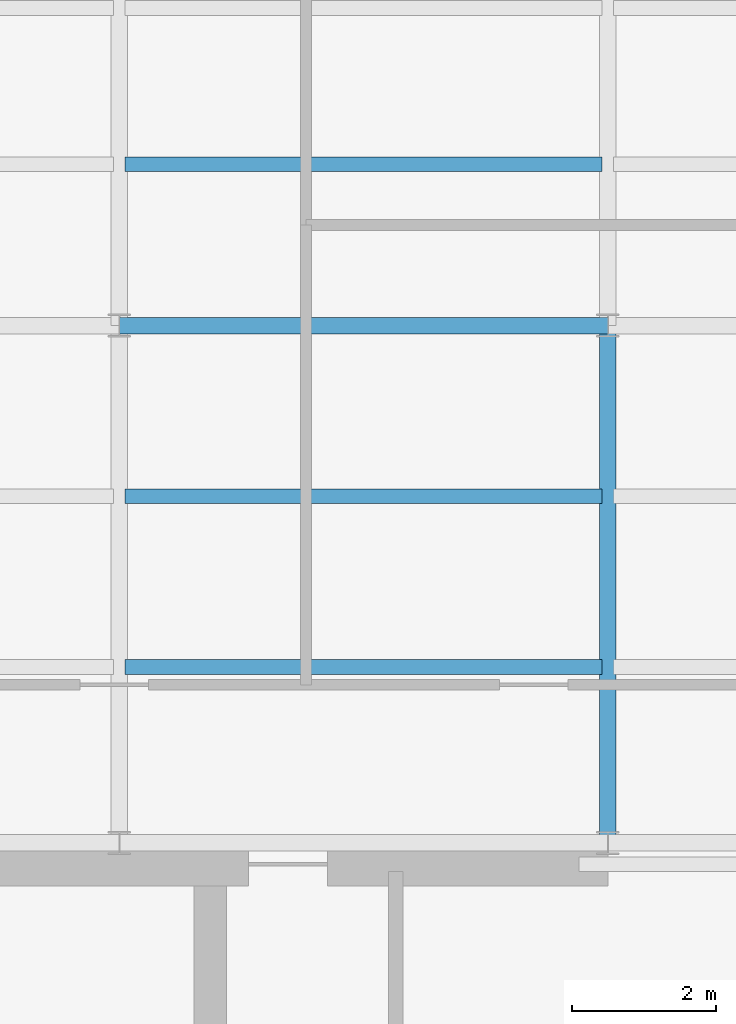
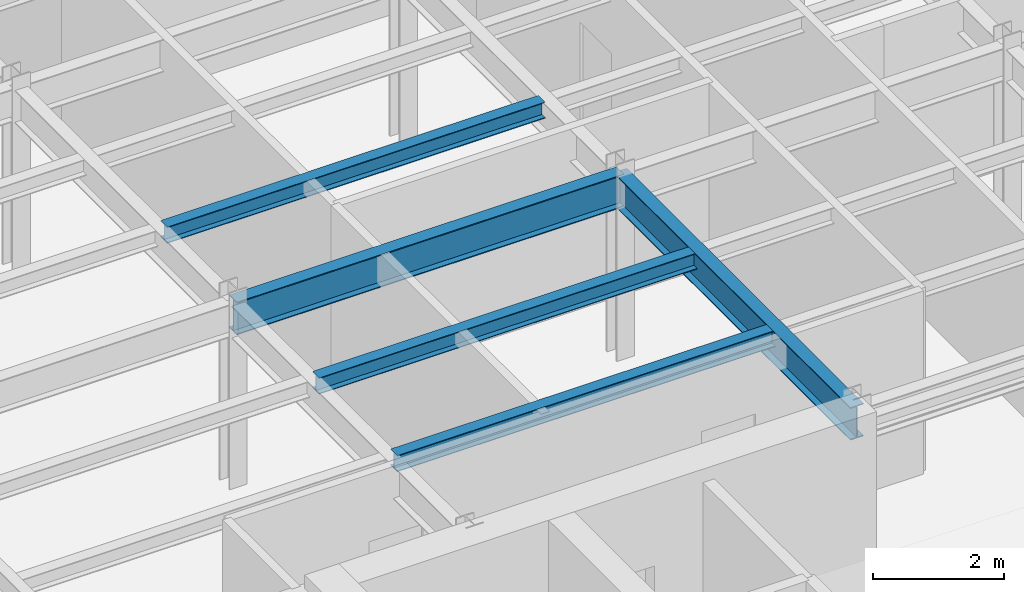
# One storey, part 6 of 22: 5 beams.
"""IFC4 building model written with IfcOpenShell, lengths in metres."""

from ifc_helpers import new_model, si_unit, derived_unit, direction, frame, origin, origin_2d, place, context, subcontext, project, spatial, i_section, extrude, source, transform, mapped, material, material_profile, profile_set, type_object, element, save


model = new_model("IFC4")

# Units and contexts
model_context = context("Model", 3, precision=1e-05, world=origin(), true_north=direction((0.0, 1.0)))
body_context = subcontext(model_context, "Body", "Model", "MODEL_VIEW")
ifc_project = project(units=[si_unit("LENGTHUNIT", "METRE"), si_unit("AREAUNIT", "SQUARE_METRE"), si_unit("VOLUMEUNIT", "CUBIC_METRE"), si_unit("PLANEANGLEUNIT", "RADIAN"), si_unit("MASSUNIT", "GRAM", prefix="KILO"), derived_unit("THERMALTRANSMITTANCEUNIT", [(si_unit("POWERUNIT", "WATT"), 1), (si_unit("LENGTHUNIT", "METRE"), -2), (si_unit("THERMODYNAMICTEMPERATUREUNIT", "KELVIN"), -1)])], contexts=[model_context])

# Site, building, storey
site_placement = place(None, origin())
site = spatial("IfcSite", under=ifc_project, at=site_placement, CompositionType="ELEMENT")
building_placement = place(site_placement, origin())
building = spatial("IfcBuilding", under=site, at=building_placement, Name="Skarnbrae Concourse Arena and Tower", CompositionType="ELEMENT")
storey_placement = place(building_placement, frame((0.0, 0.0, 247.85009765625)))
storey = spatial("IfcBuildingStorey", under=building, at=storey_placement, Name="L64", CompositionType="ELEMENT", Elevation=247.85009765625)

# Beams
ifc_material = material(Name="Steel CSA G40.21 350W", Category="steel")
ifc_material_profile_1 = material_profile(ifc_material, i_section(OverallWidth=0.22802734375, OverallDepth=0.60791015625, WebThickness=0.01123046875, FlangeThickness=0.017333984375, at=origin_2d()), Name="W610X113")
ifc_profile_set_1 = profile_set([ifc_material_profile_1], Name="Steel CSA G40.21 350W")
beam_type_1 = type_object("IfcBeamType", Name="BM-GIRD-W610X113", PredefinedType="BEAM", material=ifc_profile_set_1)
shared_shape_1 = source(origin(), body_context, "Body", "SweptSolid", [
    extrude(i_section(OverallWidth=0.22802734375, OverallDepth=0.60791015625, WebThickness=0.01123046875, FlangeThickness=0.017333984375, at=origin_2d()), origin(), (0.0, 0.0, 1.0), 6.7998046875),
])
beam_1_placement = place(storey_placement, frame((7.60009765625, 21.199951171875, 3.095947265625), z_axis=(1.0, 0.0, 0.0), x_axis=(0.0, 1.0, 0.0)))
element("IfcBeam", 1, at=beam_1_placement, inside=storey, type_object=beam_type_1, Name="L64 Primary E-W girder Y21.2-2", PredefinedType="BEAM", context=body_context, shape_type="MappedRepresentation", body=[
    mapped(shared_shape_1, transform((0.0, 0.0, 0.0))),
])
shared_shape_2 = source(origin(), body_context, "Body", "SweptSolid", [
    extrude(i_section(OverallWidth=0.22802734375, OverallDepth=0.60791015625, WebThickness=0.01123046875, FlangeThickness=0.017333984375, at=origin_2d()), origin(), (0.0, 0.0, 1.0), 7.199951171875),
])
beam_2_placement = place(storey_placement, frame((14.39990234375, 14.0, 3.095947265625), z_axis=(0.0, 1.0, 0.0), x_axis=(-1.0, 0.0, 0.0)))
element("IfcBeam", 2, at=beam_2_placement, inside=storey, type_object=beam_type_1, Name="L64 Primary N-S girder X14.4-1", PredefinedType="BEAM", context=body_context, shape_type="MappedRepresentation", body=[
    mapped(shared_shape_2, transform((0.0, 0.0, 0.0))),
])
ifc_material_profile_2 = material_profile(ifc_material, i_section(OverallWidth=0.202880859375, OverallDepth=0.302978515625, WebThickness=0.007568359375, FlangeThickness=0.01318359375, at=origin_2d()), Name="W310X60")
ifc_profile_set_2 = profile_set([ifc_material_profile_2], Name="Steel CSA G40.21 350W")
beam_type_2 = type_object("IfcBeamType", Name="BM-JOIST-W310X60", PredefinedType="JOIST", material=ifc_profile_set_2)
shared_shape_3 = source(origin(), body_context, "Body", "SweptSolid", [
    extrude(i_section(OverallWidth=0.202880859375, OverallDepth=0.302978515625, WebThickness=0.007568359375, FlangeThickness=0.01318359375, at=origin_2d()), origin(), (0.0, 0.0, 1.0), 6.64013671875),
])
for number, where, z_axis, x_axis, name in (
    (3, (7.679931640625, 16.447998046875, 3.248291015625), (1.0, 0.0, 0.0), (0.0, 1.0, 0.0), "L64 Secondary floor joist 1.1.2"),
    (4, (7.679931640625, 18.823974609375, 3.248291015625), (1.0, 0.0, 0.0), (0.0, 1.0, 0.0), "L64 Secondary floor joist 1.2.2"),
    (5, (7.679931640625, 23.444091796875, 3.248291015625), (1.0, 0.0, 0.0), (0.0, 1.0, 0.0), "L64 Secondary floor joist 2.1.2"),
):
    element("IfcBeam", number, at=place(storey_placement, frame(where, z_axis=z_axis, x_axis=x_axis)), inside=storey, type_object=beam_type_2, Name=name, PredefinedType="JOIST", context=body_context, shape_type="MappedRepresentation", body=[
        mapped(shared_shape_3, transform((0.0, 0.0, 0.0))),
    ])

save(model, "model.ifc")
